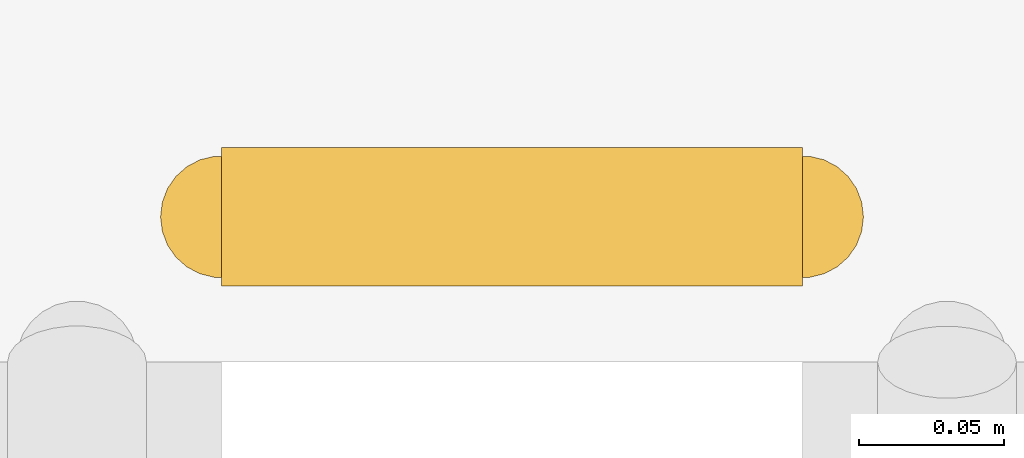
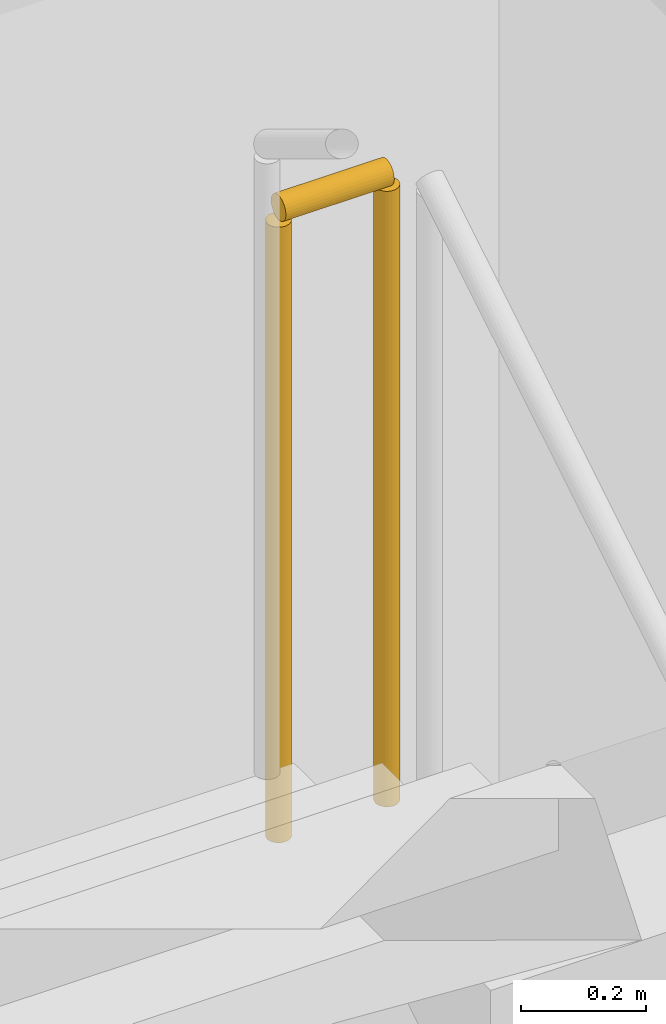
# One storey, part 18 of 18: 1 railing.
"""IFC4 building model written with IfcOpenShell, lengths in metres."""

from ifc_helpers import new_model, si_unit, direction, frame, origin, origin_2d, place, context, subcontext, project, spatial, circle, extrude, material, type_object, element, save


model = new_model("IFC4")

# Units and contexts
model_context = context("Model", 3, precision=1e-05, world=origin(), true_north=direction((0.0, 1.0)))
body_context = subcontext(model_context, "Body", "Model", "MODEL_VIEW")
ifc_project = project(units=[si_unit("LENGTHUNIT", "METRE"), si_unit("AREAUNIT", "SQUARE_METRE"), si_unit("VOLUMEUNIT", "CUBIC_METRE"), si_unit("PLANEANGLEUNIT", "RADIAN"), si_unit("MASSUNIT", "GRAM", prefix="KILO")], contexts=[model_context])

# Site, building, storey
site_placement = place(None, origin())
site = spatial("IfcSite", under=ifc_project, at=site_placement, CompositionType="ELEMENT")
building_placement = place(site_placement, origin())
building = spatial("IfcBuilding", under=site, at=building_placement, Name="Ochreholt Gables", CompositionType="ELEMENT")
storey_placement = place(building_placement, frame((0.0, 0.0, 19.199951171875)))
storey = spatial("IfcBuildingStorey", under=building, at=storey_placement, Name="L04", CompositionType="ELEMENT", Elevation=19.199951171875)

# Railing
ifc_material = material(Name="Painted Steel Stair Guardrail", Category="steel")
railing_type = type_object("IfcRailingType", Name="RL-ST-GUARD", PredefinedType="GUARDRAIL", material=ifc_material)
railing_placement = place(storey_placement, frame((26.60009765625, 36.176025390625, 2.400146484375)))
element("IfcRailing", 1, at=railing_placement, inside=storey, type_object=railing_type, Name="L04 ST-2 stair guard 2", PredefinedType="GUARDRAIL", context=body_context, shape_type="SweptSolid", body=[
    extrude(circle(Radius=0.02392578125, at=origin_2d()), frame((0.0, 0.0, 1.22607421875), z_axis=(-1.0, 0.0, 0.0), x_axis=(0.0, -1.0, 0.0)), (0.0, 0.0, 1.0), 0.2001953125),
    extrude(circle(Radius=0.02099609375, at=origin_2d()), origin(), (0.0, 0.0, 1.0), 1.201904296875),
    extrude(circle(Radius=0.02099609375, at=origin_2d()), frame((-0.2001953125, 0.0, 0.0)), (0.0, 0.0, 1.0), 1.201904296875),
])

save(model, "model.ifc")
